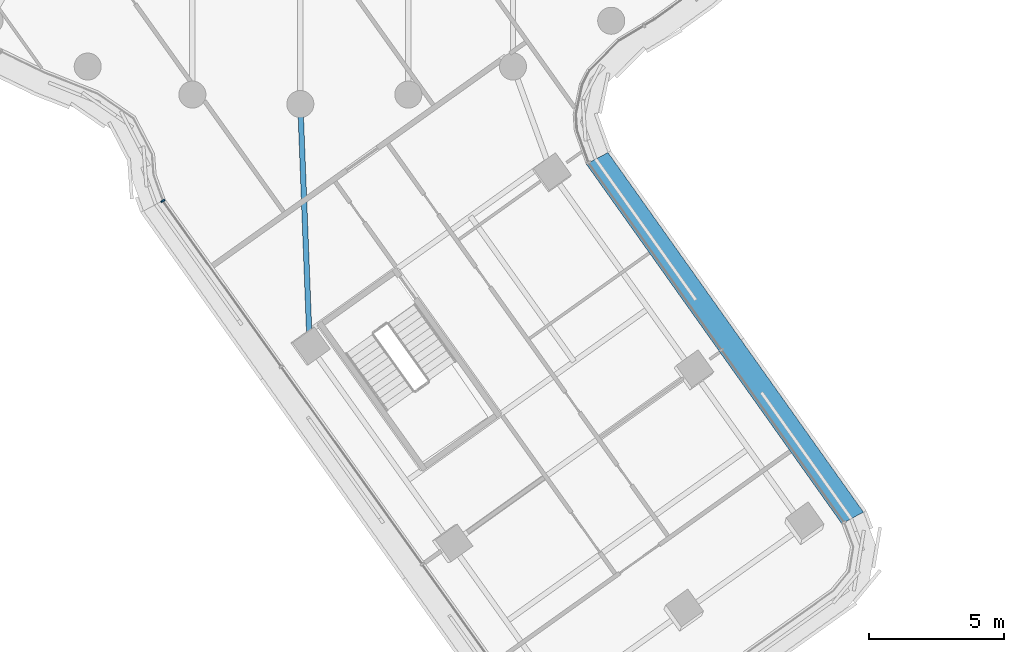
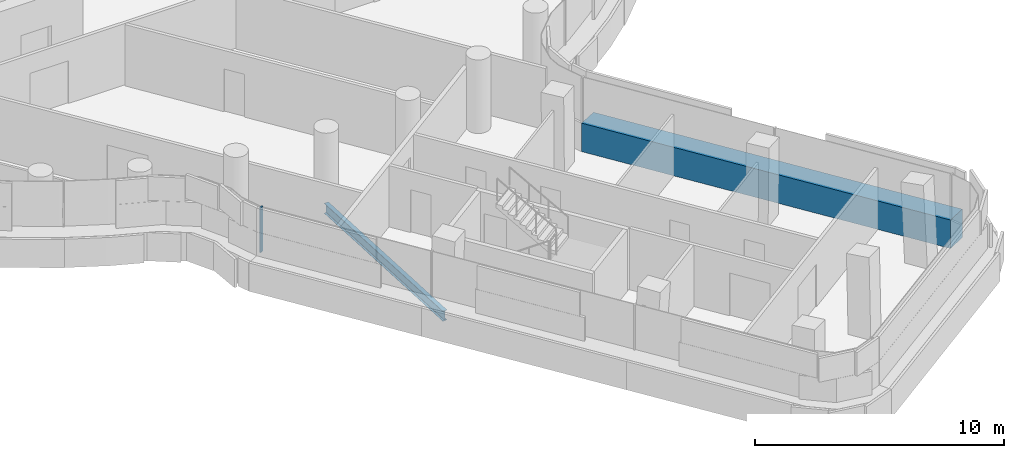
# One storey, part 5 of 31: 2 members, 1 beam, 2 elements without a shape of their own.
"""IFC4 building model written with IfcOpenShell, lengths in metres."""

from ifc_helpers import new_model, si_unit, direction, frame, origin, origin_2d, place, context, subcontext, project, spatial, polyline, rectangle, i_section, outline, extrude, material, layer, layer_set, material_profile, profile_set, type_object, element, aggregate, save


model = new_model("IFC4")

# Units and contexts
model_context = context("Model", 3, precision=1e-05, world=origin(), true_north=direction((0.0, 1.0)))
body_context = subcontext(model_context, "Body", "Model", "MODEL_VIEW")
ifc_project = project(units=[si_unit("LENGTHUNIT", "METRE"), si_unit("AREAUNIT", "SQUARE_METRE"), si_unit("VOLUMEUNIT", "CUBIC_METRE"), si_unit("PLANEANGLEUNIT", "RADIAN"), si_unit("MASSUNIT", "GRAM", prefix="KILO")], contexts=[model_context])

# Site, building, storey
site_placement = place(None, origin())
site = spatial("IfcSite", under=ifc_project, at=site_placement, CompositionType="ELEMENT")
building_placement = place(site_placement, origin())
building = spatial("IfcBuilding", under=site, at=building_placement, Name="Tamarind Cross Interchange Tower", CompositionType="ELEMENT")
storey_placement = place(building_placement, frame((0.0, 0.0, 163.0)))
storey = spatial("IfcBuildingStorey", under=building, at=storey_placement, Name="L40", CompositionType="ELEMENT", Elevation=163.0)

# Beam
ifc_material_1 = material(Name="Steel Q355B", Category="steel")
ifc_material_profile_1 = material_profile(ifc_material_1, i_section(OverallWidth=0.198974609375, OverallDepth=0.49609375, WebThickness=0.009033203125, FlangeThickness=0.013916015625, FilletRadius=0.012939453125, at=origin_2d()), Name="HN 496x199x9x14")
ifc_profile_set_1 = profile_set([ifc_material_profile_1], Name="Steel Q355B")
beam_type = type_object("IfcBeamType", Name="Composite beam HN 496x199x9x14 Q355B", PredefinedType="BEAM", material=ifc_profile_set_1)
beam_placement = place(storey_placement, frame((0.34619140625, -31.950927734375, -0.387939453125), z_axis=(-0.038647699593, 0.999252898578, 0.0), x_axis=(-0.999252898578, -0.038647699593, 0.0)))
element("IfcBeam", 1, at=beam_placement, inside=storey, type_object=beam_type, Name="Beam S-linkem", PredefinedType="BEAM", context=body_context, shape_type="SweptSolid", body=[
    extrude(i_section(OverallWidth=0.198974609375, OverallDepth=0.49609375, WebThickness=0.009033203125, FlangeThickness=0.013916015625, FilletRadius=0.012939453125, at=origin_2d()), origin(), (0.0, 0.0, 1.0), 8.95751953125),
])

# Curtain wall, member
ifc_material_2 = material(Name="Aluminium 6063-T6", Category="aluminium")
ifc_layer = layer(ifc_material_2, 0.159912109375)
ifc_layer_set = layer_set([ifc_layer], Name="Aluminium 6063-T6")
curtain_wall_type = type_object("IfcCurtainWallType", Name="Office curtain wall, 9.0 m bays", PredefinedType="NOTDEFINED", material=ifc_layer_set)
curtain_wall_1_placement = place(storey_placement, origin())
curtain_wall_1 = element("IfcCurtainWall", 2, at=curtain_wall_1_placement, inside=storey, type_object=curtain_wall_type, Name="CWS-L40-01", PredefinedType="NOTDEFINED")
ifc_material_3 = material(Name="Aluminium and insulated spandrel panel", Category="aluminium")
member_type_1 = type_object("IfcMemberType", Name="Floor-edge blade transom", PredefinedType="USERDEFINED", material=ifc_material_3)
member_1_placement = place(storey_placement, origin())
member_1 = element("IfcMember", 3, at=member_1_placement, type_object=member_type_1, Name="CWT-L40-01", ObjectType="TRANSOM", PredefinedType="USERDEFINED", context=body_context, shape_type="SweptSolid", body=[
    extrude(outline(polyline([(20.029541015625, -38.52490234375), (10.57421875, -25.2158203125), (11.379638671875, -24.79541015625), (20.8310546875, -38.099365234375), (20.029541015625, -38.52490234375)])), origin(), (0.0, 0.0, 1.0), 1.39990234375),
])
aggregate(curtain_wall_1, [member_1])

curtain_wall_2_placement = place(storey_placement, origin())
curtain_wall_2 = element("IfcCurtainWall", 4, at=curtain_wall_2_placement, inside=storey, type_object=curtain_wall_type, Name="CWS-L40-15", PredefinedType="NOTDEFINED")
ifc_material_profile_2 = material_profile(ifc_material_2, rectangle(XDim=0.06005859375, YDim=0.159912109375, at=origin_2d()), Name="Mullion CW1")
ifc_profile_set_2 = profile_set([ifc_material_profile_2], Name="Aluminium 6063-T6")
member_type_2 = type_object("IfcMemberType", Name="Mullion CW1", PredefinedType="MULLION", material=ifc_profile_set_2)
member_2_placement = place(storey_placement, frame((-5.086181640625, -26.5791015625, 1.39990234375), z_axis=(0.0, 0.0, 1.0), x_axis=(0.46526350842, -0.885172224899, 0.0)))
member_2 = element("IfcMember", 5, at=member_2_placement, type_object=member_type_2, Name="CWM-L40-15-00", PredefinedType="MULLION", context=body_context, shape_type="SweptSolid", body=[
    extrude(rectangle(XDim=0.06005859375, YDim=0.159912109375, at=origin_2d()), origin(), (0.0, 0.0, 1.0), 2.210205078125),
])
aggregate(curtain_wall_2, [member_2])

save(model, "model.ifc")
